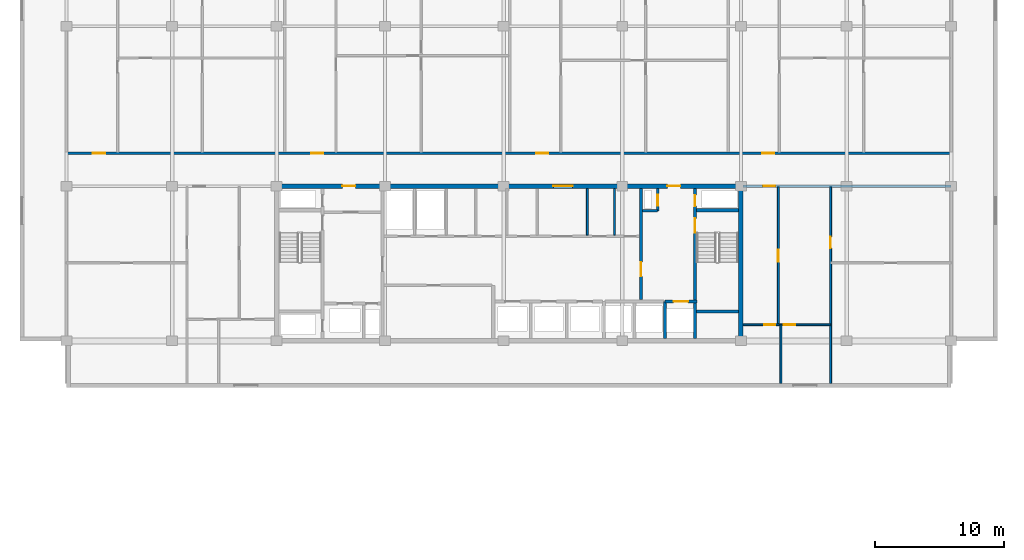
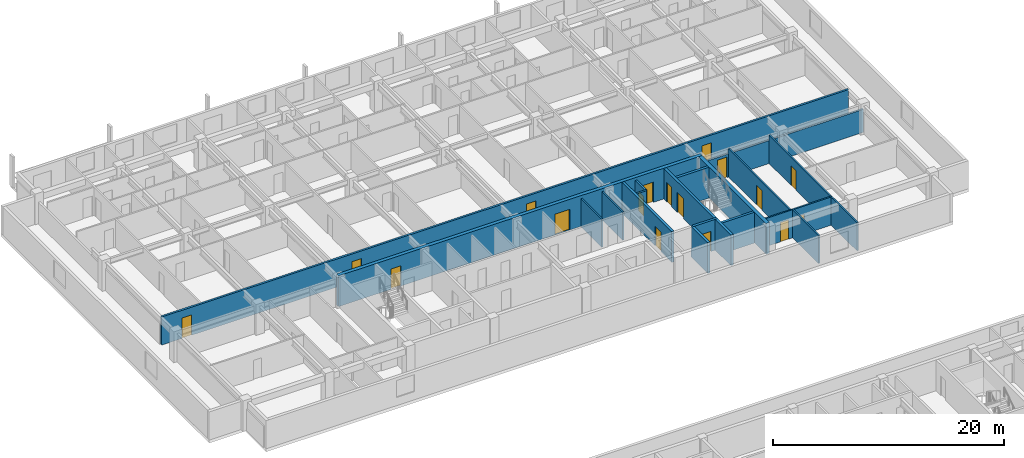
# One storey, part 13 of 23: 18 walls, 17 doors, 17 openings.
"""IFC4 building model written with IfcOpenShell, lengths in metres."""

from ifc_helpers import new_model, si_unit, direction, frame, frame_2d, origin, place, context, subcontext, project, spatial, rectangle, extrude, material, layer, layer_set, type_object, element, fill, save


model = new_model("IFC4")

# Units and contexts
model_context = context("Model", 3, precision=1e-05, world=origin(), true_north=direction((0.0, 1.0)))
body_context = subcontext(model_context, "Body", "Model", "MODEL_VIEW")
ifc_project = project(units=[si_unit("LENGTHUNIT", "METRE"), si_unit("AREAUNIT", "SQUARE_METRE"), si_unit("VOLUMEUNIT", "CUBIC_METRE"), si_unit("PLANEANGLEUNIT", "RADIAN"), si_unit("MASSUNIT", "GRAM", prefix="KILO")], contexts=[model_context])

# Site, building, storey
site_placement = place(None, origin())
site = spatial("IfcSite", under=ifc_project, at=site_placement, CompositionType="ELEMENT")
building_placement = place(site_placement, origin())
building = spatial("IfcBuilding", under=site, at=building_placement, Name="Korimba Cascade Residences", CompositionType="ELEMENT")
storey_placement = place(building_placement, frame((0.0, 0.0, 162.10009765625)))
storey = spatial("IfcBuildingStorey", under=building, at=storey_placement, Name="L46", CompositionType="ELEMENT", Elevation=162.10009765625)

# Wall
ifc_material_1 = material(Name="Concrete C65/80", Category="concrete")
ifc_layer_1 = layer(ifc_material_1, 0.35009765625)
ifc_layer_set_1 = layer_set([ifc_layer_1], Name="Concrete C65/80")
wall_type_1 = type_object("IfcWallType", Name="WAL-CORE-350", PredefinedType="SHEAR", material=ifc_layer_set_1)
wall_1_placement = place(storey_placement, frame((112.074951171875, 55.375, 0.0), z_axis=(0.0, 0.0, 1.0), x_axis=(0.0, 1.0, 0.0)))
element("IfcWall", 1, at=wall_1_placement, inside=storey, type_object=wall_type_1, Name="L46 Core Shear Wall CW-L46-T1-E", PredefinedType="SHEAR", context=body_context, shape_type="SweptSolid", body=[
    extrude(rectangle(XDim=11.64990234375, YDim=0.35009765625, at=frame_2d((5.824951171875, 0.0))), origin(), (0.0, 0.0, 1.0), 3.25),
])

# Wall, openings, doors
wall_2_placement = place(storey_placement, frame((75.949951171875, 67.199951171875, 0.0), z_axis=(0.0, 0.0, 1.0), x_axis=(1.0, 0.0, 0.0)))
wall_2 = element("IfcWall", 2, at=wall_2_placement, inside=storey, type_object=wall_type_1, Name="L46 Core Shear Wall CW-L46-T1-N", PredefinedType="SHEAR", context=body_context, shape_type="SweptSolid", body=[
    extrude(rectangle(XDim=36.300048828125, YDim=0.35009765625, at=frame_2d((18.14990234375, 0.0))), origin(), (0.0, 0.0, 1.0), 3.25),
])
opening_1_placement = place(wall_2_placement, frame((5.25, 0.0, 0.0)))
opening_1 = element("IfcOpeningElement", 3, at=opening_1_placement, cuts=wall_2, Name="Opening D-FD5", PredefinedType="OPENING", context=body_context, shape_type="SweptSolid", body=[
    extrude(rectangle(XDim=1.0, YDim=2.14990234375, at=frame_2d((0.5, 1.074951171875))), frame((0.0, 0.18505859375, 0.0), z_axis=(0.0, -1.0, 0.0), x_axis=(1.0, 0.0, 0.0)), (0.0, 0.0, 1.0), 0.3701171875),
])
opening_2_placement = place(wall_2_placement, frame((21.60009765625, 0.0, 0.0)))
opening_2 = element("IfcOpeningElement", 4, at=opening_2_placement, cuts=wall_2, Name="Opening D-FD8", PredefinedType="OPENING", context=body_context, shape_type="SweptSolid", body=[
    extrude(rectangle(XDim=1.5, YDim=2.199951171875, at=frame_2d((0.75, 1.10009765625))), frame((0.0, 0.18505859375, 0.0), z_axis=(0.0, -1.0, 0.0), x_axis=(1.0, 0.0, 0.0)), (0.0, 0.0, 1.0), 0.3701171875),
])
opening_3_placement = place(wall_2_placement, frame((30.449951171875, 0.0, 0.0)))
opening_3 = element("IfcOpeningElement", 5, at=opening_3_placement, cuts=wall_2, Name="Opening D-FD5", PredefinedType="OPENING", context=body_context, shape_type="SweptSolid", body=[
    extrude(rectangle(XDim=1.0, YDim=2.14990234375, at=frame_2d((0.5, 1.074951171875))), frame((0.0, 0.18505859375, 0.0), z_axis=(0.0, -1.0, 0.0), x_axis=(1.0, 0.0, 0.0)), (0.0, 0.0, 1.0), 0.3701171875),
])
ifc_material_2 = material(Name="Fire-Rated Acoustic Timber Vestibule Door", Category="wood")
door_type_1 = type_object("IfcDoorType", Name="DR-FD90-1000", OperationType="NOTDEFINED", PredefinedType="DOOR", material=ifc_material_2)
door_1_placement = place(opening_1_placement, origin())
door_1 = element("IfcDoor", 6, at=door_1_placement, inside=storey, type_object=door_type_1, Name="L46 T1 West Core Vestibule Fire Door", OperationType="SINGLE_SWING_RIGHT", OverallHeight=2.14990234375, OverallWidth=1.0, PredefinedType="DOOR", context=body_context, shape_type="SweptSolid", body=[
    extrude(rectangle(XDim=1.0, YDim=2.14990234375, at=frame_2d((0.5, 1.074951171875))), frame((0.0, 0.02490234375, 0.0), z_axis=(0.0, -1.0, 0.0), x_axis=(1.0, 0.0, 0.0)), (0.0, 0.0, 1.0), 0.050048828125),
])
fill(opening_1, door_1)
door_2_placement = place(opening_3_placement, origin())
door_2 = element("IfcDoor", 7, at=door_2_placement, inside=storey, type_object=door_type_1, Name="L46 T1 East Firefighting Vestibule Fire Door", OperationType="SINGLE_SWING_LEFT", OverallHeight=2.14990234375, OverallWidth=1.0, PredefinedType="DOOR", context=body_context, shape_type="SweptSolid", body=[
    extrude(rectangle(XDim=1.0, YDim=2.14990234375, at=frame_2d((0.5, 1.074951171875))), frame((0.0, 0.02490234375, 0.0), z_axis=(0.0, -1.0, 0.0), x_axis=(1.0, 0.0, 0.0)), (0.0, 0.0, 1.0), 0.050048828125),
])
fill(opening_3, door_2)
ifc_material_3 = material(Name="Fire-Rated Glazed Lift Lobby Double Door", Category="glass")
door_type_2 = type_object("IfcDoorType", Name="DR-FD90-1500", OperationType="NOTDEFINED", PredefinedType="DOOR", material=ifc_material_3)
door_3_placement = place(opening_2_placement, origin())
door_3 = element("IfcDoor", 8, at=door_3_placement, inside=storey, type_object=door_type_2, Name="L46 T1 Lift Lobby Fire Door", OperationType="DOUBLE_DOOR_SINGLE_SWING", OverallHeight=2.199951171875, OverallWidth=1.5, PredefinedType="DOOR", context=body_context, shape_type="SweptSolid", body=[
    extrude(rectangle(XDim=1.5, YDim=2.199951171875, at=frame_2d((0.75, 1.10009765625))), frame((0.0, 0.02490234375, 0.0), z_axis=(0.0, -1.0, 0.0), x_axis=(1.0, 0.0, 0.0)), (0.0, 0.0, 1.0), 0.050048828125),
])
fill(opening_2, door_3)

# Wall, opening, door
ifc_material_4 = material(Name="Precast concrete C40/50", Category="concrete")
ifc_layer_2 = layer(ifc_material_4, 0.199951171875)
ifc_layer_set_2 = layer_set([ifc_layer_2], Name="Precast concrete C40/50")
wall_type_2 = type_object("IfcWallType", Name="WAL-IT-200", PredefinedType="PARTITIONING", material=ifc_layer_set_2)
wall_3_placement = place(storey_placement, frame((112.25, 67.199951171875, 0.0), z_axis=(0.0, 0.0, 1.0), x_axis=(1.0, 0.0, 0.0)))
wall_3 = element("IfcWall", 9, at=wall_3_placement, inside=storey, type_object=wall_type_2, Name="L46 Partition Wall WAL-L46-T1-FE-N", PredefinedType="PARTITIONING", context=body_context, shape_type="SweptSolid", body=[
    extrude(rectangle(XDim=16.14990234375, YDim=0.199951171875, at=frame_2d((8.074951171875, 0.0))), origin(), (0.0, 0.0, 1.0), 2.43310546875),
])
opening_4_placement = place(wall_3_placement, frame((1.580078125, 0.0, 0.0)))
opening_4 = element("IfcOpeningElement", 10, at=opening_4_placement, cuts=wall_3, Name="Opening D-UN1", PredefinedType="OPENING", context=body_context, shape_type="SweptSolid", body=[
    extrude(rectangle(XDim=0.949951171875, YDim=2.14990234375, at=frame_2d((0.47509765625, 1.074951171875))), frame((0.0, 0.10986328125, 0.0), z_axis=(0.0, -1.0, 0.0), x_axis=(1.0, 0.0, 0.0)), (0.0, 0.0, 1.0), 0.219970703125),
])
ifc_material_5 = material(Name="Fire-Rated Hardwood Apartment Entrance Door", Category="wood")
door_type_3 = type_object("IfcDoorType", Name="DR-FD60-950", OperationType="NOTDEFINED", PredefinedType="DOOR", material=ifc_material_5)
door_4_placement = place(opening_4_placement, origin())
door_4 = element("IfcDoor", 11, at=door_4_placement, inside=storey, type_object=door_type_3, Name="L46-T1-FE Entrance Door", OperationType="SINGLE_SWING_LEFT", OverallHeight=2.14990234375, OverallWidth=0.949951171875, PredefinedType="DOOR", context=body_context, shape_type="SweptSolid", body=[
    extrude(rectangle(XDim=0.949951171875, YDim=2.14990234375, at=frame_2d((0.47509765625, 1.074951171875))), frame((0.0, 0.02490234375, 0.0), z_axis=(0.0, -1.0, 0.0), x_axis=(1.0, 0.0, 0.0)), (0.0, 0.0, 1.0), 0.050048828125),
])
fill(opening_4, door_4)

# Wall, openings, doors
wall_4_placement = place(storey_placement, frame((59.800048828125, 69.75, 0.0), z_axis=(0.0, 0.0, 1.0), x_axis=(1.0, 0.0, 0.0)))
wall_4 = element("IfcWall", 12, at=wall_4_placement, inside=storey, type_object=wall_type_2, Name="L46 Partition Wall WAL-L46-T1-CORN", PredefinedType="PARTITIONING", context=body_context, shape_type="SweptSolid", body=[
    extrude(rectangle(XDim=68.599853515625, YDim=0.199951171875, at=frame_2d((34.2998046875, 0.0))), origin(), (0.0, 0.0, 1.0), 2.969970703125),
])
opening_5_placement = place(wall_4_placement, frame((2.044921875, 0.0, 0.0)))
opening_5 = element("IfcOpeningElement", 13, at=opening_5_placement, cuts=wall_4, Name="Opening D-UN1", PredefinedType="OPENING", context=body_context, shape_type="SweptSolid", body=[
    extrude(rectangle(XDim=0.949951171875, YDim=2.14990234375, at=frame_2d((0.47509765625, 1.074951171875))), frame((0.0, 0.10986328125, 0.0), z_axis=(0.0, -1.0, 0.0), x_axis=(1.0, 0.0, 0.0)), (0.0, 0.0, 1.0), 0.219970703125),
])
opening_6_placement = place(wall_4_placement, frame((18.97998046875, 0.0, 0.0)))
opening_6 = element("IfcOpeningElement", 14, at=opening_6_placement, cuts=wall_4, Name="Opening D-UN1", PredefinedType="OPENING", context=body_context, shape_type="SweptSolid", body=[
    extrude(rectangle(XDim=0.949951171875, YDim=2.14990234375, at=frame_2d((0.47509765625, 1.074951171875))), frame((0.0, 0.10986328125, 0.0), z_axis=(0.0, -1.0, 0.0), x_axis=(1.0, 0.0, 0.0)), (0.0, 0.0, 1.0), 0.219970703125),
])
opening_7_placement = place(wall_4_placement, frame((36.419921875, 0.0, 0.0)))
opening_7 = element("IfcOpeningElement", 15, at=opening_7_placement, cuts=wall_4, Name="Opening D-UN1", PredefinedType="OPENING", context=body_context, shape_type="SweptSolid", body=[
    extrude(rectangle(XDim=0.949951171875, YDim=2.14990234375, at=frame_2d((0.47509765625, 1.074951171875))), frame((0.0, 0.10986328125, 0.0), z_axis=(0.0, -1.0, 0.0), x_axis=(1.0, 0.0, 0.0)), (0.0, 0.0, 1.0), 0.219970703125),
])
opening_8_placement = place(wall_4_placement, frame((53.93603515625, 0.0, 0.0)))
opening_8 = element("IfcOpeningElement", 16, at=opening_8_placement, cuts=wall_4, Name="Opening D-UN1", PredefinedType="OPENING", context=body_context, shape_type="SweptSolid", body=[
    extrude(rectangle(XDim=0.949951171875, YDim=2.14990234375, at=frame_2d((0.47509765625, 1.074951171875))), frame((0.0, 0.10986328125, 0.0), z_axis=(0.0, -1.0, 0.0), x_axis=(1.0, 0.0, 0.0)), (0.0, 0.0, 1.0), 0.219970703125),
])
door_5_placement = place(opening_5_placement, origin())
door_5 = element("IfcDoor", 17, at=door_5_placement, inside=storey, type_object=door_type_3, Name="Unit L46-T1-U01 Entrance Door", OperationType="SINGLE_SWING_LEFT", OverallHeight=2.14990234375, OverallWidth=0.949951171875, PredefinedType="DOOR", context=body_context, shape_type="SweptSolid", body=[
    extrude(rectangle(XDim=0.949951171875, YDim=2.14990234375, at=frame_2d((0.47509765625, 1.074951171875))), frame((0.0, 0.02490234375, 0.0), z_axis=(0.0, -1.0, 0.0), x_axis=(1.0, 0.0, 0.0)), (0.0, 0.0, 1.0), 0.050048828125),
])
fill(opening_5, door_5)
door_6_placement = place(opening_6_placement, origin())
door_6 = element("IfcDoor", 18, at=door_6_placement, inside=storey, type_object=door_type_3, Name="Unit L46-T1-U02 Entrance Door", OperationType="SINGLE_SWING_RIGHT", OverallHeight=2.14990234375, OverallWidth=0.949951171875, PredefinedType="DOOR", context=body_context, shape_type="SweptSolid", body=[
    extrude(rectangle(XDim=0.949951171875, YDim=2.14990234375, at=frame_2d((0.47509765625, 1.074951171875))), frame((0.0, 0.02490234375, 0.0), z_axis=(0.0, -1.0, 0.0), x_axis=(1.0, 0.0, 0.0)), (0.0, 0.0, 1.0), 0.050048828125),
])
fill(opening_6, door_6)
door_7_placement = place(opening_7_placement, origin())
door_7 = element("IfcDoor", 19, at=door_7_placement, inside=storey, type_object=door_type_3, Name="Unit L46-T1-U03 Entrance Door", OperationType="SINGLE_SWING_LEFT", OverallHeight=2.14990234375, OverallWidth=0.949951171875, PredefinedType="DOOR", context=body_context, shape_type="SweptSolid", body=[
    extrude(rectangle(XDim=0.949951171875, YDim=2.14990234375, at=frame_2d((0.47509765625, 1.074951171875))), frame((0.0, 0.02490234375, 0.0), z_axis=(0.0, -1.0, 0.0), x_axis=(1.0, 0.0, 0.0)), (0.0, 0.0, 1.0), 0.050048828125),
])
fill(opening_7, door_7)
door_8_placement = place(opening_8_placement, origin())
door_8 = element("IfcDoor", 20, at=door_8_placement, inside=storey, type_object=door_type_3, Name="Unit L46-T1-U04 Entrance Door", OperationType="SINGLE_SWING_RIGHT", OverallHeight=2.14990234375, OverallWidth=0.949951171875, PredefinedType="DOOR", context=body_context, shape_type="SweptSolid", body=[
    extrude(rectangle(XDim=0.949951171875, YDim=2.14990234375, at=frame_2d((0.47509765625, 1.074951171875))), frame((0.0, 0.02490234375, 0.0), z_axis=(0.0, -1.0, 0.0), x_axis=(1.0, 0.0, 0.0)), (0.0, 0.0, 1.0), 0.050048828125),
])
fill(opening_8, door_8)

# Walls
ifc_material_6 = material(Name="Insulated Acoustic Stud Partition", Category="gypsum")
ifc_layer_3 = layer(ifc_material_6, 0.14990234375)
ifc_layer_set_3 = layer_set([ifc_layer_3], Name="Insulated Acoustic Stud Partition")
wall_type_3 = type_object("IfcWallType", Name="WAL-PART-150", PredefinedType="PARTITIONING", material=ifc_layer_set_3)
for number, where, z_axis, x_axis, name in (
    (21, (102.300048828125, 63.39990234375, 0.0), (0.0, 0.0, 1.0), (0.0, 1.0, 0.0), "L46 Partition Wall CW-L46-T1-CA1E1"),
    (22, (100.199951171875, 63.39990234375, 0.0), (0.0, 0.0, 1.0), (0.0, 1.0, 0.0), "L46 Partition Wall CW-L46-T1-THE"),
):
    element("IfcWall", number, at=place(storey_placement, frame(where, z_axis=z_axis, x_axis=x_axis)), inside=storey, type_object=wall_type_3, Name=name, PredefinedType="PARTITIONING", context=body_context, shape_type="SweptSolid", body=[
        extrude(rectangle(XDim=3.60009765625, YDim=0.14990234375, at=frame_2d((1.800048828125, 0.0))), origin(), (0.0, 0.0, 1.0), 2.969970703125),
    ])

# Wall, opening, door
wall_5_placement = place(storey_placement, frame((119.050048828125, 51.89990234375, 0.0), z_axis=(0.0, 0.0, 1.0), x_axis=(0.0, 1.0, 0.0)))
wall_5 = element("IfcWall", 23, at=wall_5_placement, inside=storey, type_object=wall_type_3, Name="L46 Partition Wall WAL-L46-T1-FE-STV", PredefinedType="PARTITIONING", context=body_context, shape_type="SweptSolid", body=[
    extrude(rectangle(XDim=15.25, YDim=0.14990234375, at=frame_2d((7.625, 0.0))), origin(), (0.0, 0.0, 1.0), 2.969970703125),
])
opening_9_placement = place(wall_5_placement, frame((10.5, 0.0, 0.0)))
opening_9 = element("IfcOpeningElement", 24, at=opening_9_placement, cuts=wall_5, Name="Opening D-IN2", PredefinedType="OPENING", context=body_context, shape_type="SweptSolid", body=[
    extrude(rectangle(XDim=0.8798828125, YDim=2.06005859375, at=frame_2d((0.43994140625, 1.030029296875))), frame((0.0, 0.0849609375, 0.0), z_axis=(0.0, -1.0, 0.0), x_axis=(1.0, 0.0, 0.0)), (0.0, 0.0, 1.0), 0.169921875),
])
ifc_material_7 = material(Name="Acoustic Timber Bedroom Door", Category="wood")
door_type_4 = type_object("IfcDoorType", Name="DR-INT-880", OperationType="NOTDEFINED", PredefinedType="DOOR", material=ifc_material_7)
door_9_placement = place(opening_9_placement, origin())
door_9 = element("IfcDoor", 25, at=door_9_placement, inside=storey, type_object=door_type_4, Name="L46-T1-FE Study Door", OperationType="SINGLE_SWING_LEFT", OverallHeight=2.06005859375, OverallWidth=0.8798828125, PredefinedType="DOOR", context=body_context, shape_type="SweptSolid", body=[
    extrude(rectangle(XDim=0.8798828125, YDim=2.06005859375, at=frame_2d((0.43994140625, 1.030029296875))), frame((0.0, 0.02490234375, 0.0), z_axis=(0.0, -1.0, 0.0), x_axis=(1.0, 0.0, 0.0)), (0.0, 0.0, 1.0), 0.050048828125),
])
fill(opening_9, door_9)

wall_6_placement = place(storey_placement, frame((115.0, 56.449951171875, 0.0), z_axis=(0.0, 0.0, 1.0), x_axis=(0.0, 1.0, 0.0)))
wall_6 = element("IfcWall", 26, at=wall_6_placement, inside=storey, type_object=wall_type_3, Name="L46 Partition Wall WAL-L46-T1-FE-VN", PredefinedType="PARTITIONING", context=body_context, shape_type="SweptSolid", body=[
    extrude(rectangle(XDim=10.699951171875, YDim=0.14990234375, at=frame_2d((5.35009765625, 0.0))), origin(), (0.0, 0.0, 1.0), 2.969970703125),
])
opening_10_placement = place(wall_6_placement, frame((4.889892578125, 0.0, 0.0)))
opening_10 = element("IfcOpeningElement", 27, at=opening_10_placement, cuts=wall_6, Name="Opening D-IN1", PredefinedType="OPENING", context=body_context, shape_type="SweptSolid", body=[
    extrude(rectangle(XDim=0.919921875, YDim=2.080078125, at=frame_2d((0.4599609375, 1.0400390625))), frame((0.0, 0.0849609375, 0.0), z_axis=(0.0, -1.0, 0.0), x_axis=(1.0, 0.0, 0.0)), (0.0, 0.0, 1.0), 0.169921875),
])
ifc_material_8 = material(Name="Acoustic Timber Living Door", Category="wood")
door_type_5 = type_object("IfcDoorType", Name="DR-INT-920", OperationType="NOTDEFINED", PredefinedType="DOOR", material=ifc_material_8)
door_10_placement = place(opening_10_placement, origin())
door_10 = element("IfcDoor", 28, at=door_10_placement, inside=storey, type_object=door_type_5, Name="L46-T1-FE Living Door", OperationType="SINGLE_SWING_RIGHT", OverallHeight=2.080078125, OverallWidth=0.919921875, PredefinedType="DOOR", context=body_context, shape_type="SweptSolid", body=[
    extrude(rectangle(XDim=0.919921875, YDim=2.080078125, at=frame_2d((0.4599609375, 1.0400390625))), frame((0.0, 0.02490234375, 0.0), z_axis=(0.0, -1.0, 0.0), x_axis=(1.0, 0.0, 0.0)), (0.0, 0.0, 1.0), 0.050048828125),
])
fill(opening_10, door_10)

# Wall
wall_7_placement = place(storey_placement, frame((115.199951171875, 51.89990234375, 0.0), z_axis=(0.0, 0.0, 1.0), x_axis=(0.0, 1.0, 0.0)))
element("IfcWall", 29, at=wall_7_placement, inside=storey, type_object=wall_type_3, Name="L46 Partition Wall WAL-L46-T1-FE-VS", PredefinedType="PARTITIONING", context=body_context, shape_type="SweptSolid", body=[
    extrude(rectangle(XDim=4.550048828125, YDim=0.14990234375, at=frame_2d((2.27490234375, 0.0))), origin(), (0.0, 0.0, 1.0), 2.969970703125),
])

# Wall, openings, doors
wall_8_placement = place(storey_placement, frame((112.27001953125, 56.449951171875, 0.0), z_axis=(0.0, 0.0, 1.0), x_axis=(1.0, 0.0, 0.0)))
wall_8 = element("IfcWall", 30, at=wall_8_placement, inside=storey, type_object=wall_type_3, Name="L46 Partition Wall WAL-L46-T1-FE-H", PredefinedType="PARTITIONING", context=body_context, shape_type="SweptSolid", body=[
    extrude(rectangle(XDim=6.760009765625, YDim=0.14990234375, at=frame_2d((3.3798828125, 0.0))), origin(), (0.0, 0.0, 1.0), 2.969970703125),
])
opening_11_placement = place(wall_8_placement, frame((1.6396484375, 0.0, 0.0)))
opening_11 = element("IfcOpeningElement", 31, at=opening_11_placement, cuts=wall_8, Name="Opening D-BT1", PredefinedType="OPENING", context=body_context, shape_type="SweptSolid", body=[
    extrude(rectangle(XDim=0.840087890625, YDim=2.0400390625, at=frame_2d((0.419921875, 1.02001953125))), frame((0.0, 0.0849609375, 0.0), z_axis=(0.0, -1.0, 0.0), x_axis=(1.0, 0.0, 0.0)), (0.0, 0.0, 1.0), 0.169921875),
])
opening_12_placement = place(wall_8_placement, frame((3.160400390625, 0.0, 0.0)))
opening_12 = element("IfcOpeningElement", 32, at=opening_12_placement, cuts=wall_8, Name="Opening D-IN2", PredefinedType="OPENING", context=body_context, shape_type="SweptSolid", body=[
    extrude(rectangle(XDim=0.8798828125, YDim=2.06005859375, at=frame_2d((0.43994140625, 1.030029296875))), frame((0.0, 0.0849609375, 0.0), z_axis=(0.0, -1.0, 0.0), x_axis=(1.0, 0.0, 0.0)), (0.0, 0.0, 1.0), 0.169921875),
])
ifc_material_9 = material(Name="Moisture-Resistant Bathroom Timber Door", Category="wood")
door_type_6 = type_object("IfcDoorType", Name="DR-INT-850", OperationType="NOTDEFINED", PredefinedType="DOOR", material=ifc_material_9)
door_11_placement = place(opening_11_placement, origin())
door_11 = element("IfcDoor", 33, at=door_11_placement, inside=storey, type_object=door_type_6, Name="L46-T1-FE Bathroom Door", OperationType="SINGLE_SWING_LEFT", OverallHeight=2.0400390625, OverallWidth=0.840087890625, PredefinedType="DOOR", context=body_context, shape_type="SweptSolid", body=[
    extrude(rectangle(XDim=0.840087890625, YDim=2.0400390625, at=frame_2d((0.419921875, 1.02001953125))), frame((0.0, 0.02490234375, 0.0), z_axis=(0.0, -1.0, 0.0), x_axis=(1.0, 0.0, 0.0)), (0.0, 0.0, 1.0), 0.050048828125),
])
fill(opening_11, door_11)
door_12_placement = place(opening_12_placement, origin())
door_12 = element("IfcDoor", 34, at=door_12_placement, inside=storey, type_object=door_type_4, Name="L46-T1-FE Bedroom Door", OperationType="SINGLE_SWING_RIGHT", OverallHeight=2.06005859375, OverallWidth=0.8798828125, PredefinedType="DOOR", context=body_context, shape_type="SweptSolid", body=[
    extrude(rectangle(XDim=0.8798828125, YDim=2.06005859375, at=frame_2d((0.43994140625, 1.030029296875))), frame((0.0, 0.02490234375, 0.0), z_axis=(0.0, -1.0, 0.0), x_axis=(1.0, 0.0, 0.0)), (0.0, 0.0, 1.0), 0.050048828125),
])
fill(opening_12, door_12)

# Wall
ifc_material_10 = material(Name="Concrete C40/50", Category="concrete")
ifc_layer_4 = layer(ifc_material_10, 0.199951171875)
ifc_layer_set_4 = layer_set([ifc_layer_4], Name="Concrete C40/50")
wall_type_4 = type_object("IfcWallType", Name="WAL-PART-200", PredefinedType="PARTITIONING", material=ifc_layer_set_4)
wall_9_placement = place(storey_placement, frame((104.449951171875, 65.280029296875, 0.0), z_axis=(0.0, 0.0, 1.0), x_axis=(1.0, 0.0, 0.0)))
element("IfcWall", 35, at=wall_9_placement, inside=storey, type_object=wall_type_4, Name="L46 Partition Wall CW-L46-T1-HYDW2S", PredefinedType="PARTITIONING", context=body_context, shape_type="SweptSolid", body=[
    extrude(rectangle(XDim=1.199951171875, YDim=0.199951171875, at=frame_2d((0.60009765625, 0.0))), origin(), (0.0, 0.0, 1.0), 2.969970703125),
])

# Wall, opening, door
wall_10_placement = place(storey_placement, frame((105.64990234375, 65.280029296875, 0.0), z_axis=(0.0, 0.0, 1.0), x_axis=(0.0, 1.0, 0.0)))
wall_10 = element("IfcWall", 36, at=wall_10_placement, inside=storey, type_object=wall_type_4, Name="L46 Partition Wall CW-L46-T1-HYDW2E", PredefinedType="PARTITIONING", context=body_context, shape_type="SweptSolid", body=[
    extrude(rectangle(XDim=1.719970703125, YDim=0.199951171875, at=frame_2d((0.85986328125, 0.0))), origin(), (0.0, 0.0, 1.0), 2.969970703125),
])
opening_13_placement = place(wall_10_placement, frame((0.39990234375, 0.0, 0.0)))
opening_13 = element("IfcOpeningElement", 37, at=opening_13_placement, cuts=wall_10, Name="Opening D-RS1", PredefinedType="OPENING", context=body_context, shape_type="SweptSolid", body=[
    extrude(rectangle(XDim=0.85009765625, YDim=2.050048828125, at=frame_2d((0.425048828125, 1.02490234375))), frame((0.0, 0.10986328125, 0.0), z_axis=(0.0, -1.0, 0.0), x_axis=(1.0, 0.0, 0.0)), (0.0, 0.0, 1.0), 0.219970703125),
])
ifc_material_11 = material(Name="Fire-Rated Steel Riser Access Door", Category="steel")
door_type_7 = type_object("IfcDoorType", Name="DR-FD60-850", OperationType="NOTDEFINED", PredefinedType="DOOR", material=ifc_material_11)
door_13_placement = place(opening_13_placement, origin())
door_13 = element("IfcDoor", 38, at=door_13_placement, inside=storey, type_object=door_type_7, Name="L46 East Hydrant Door", OperationType="SINGLE_SWING_RIGHT", OverallHeight=2.050048828125, OverallWidth=0.85009765625, PredefinedType="DOOR", context=body_context, shape_type="SweptSolid", body=[
    extrude(rectangle(XDim=0.85009765625, YDim=2.050048828125, at=frame_2d((0.425048828125, 1.02490234375))), frame((0.0, 0.02490234375, 0.0), z_axis=(0.0, -1.0, 0.0), x_axis=(1.0, 0.0, 0.0)), (0.0, 0.0, 1.0), 0.050048828125),
])
fill(opening_13, door_13)

# Wall
ifc_material_12 = material(Name="Concrete C50/60", Category="concrete")
ifc_layer_5 = layer(ifc_material_12, 0.25)
ifc_layer_set_5 = layer_set([ifc_layer_5], Name="Concrete C50/60")
wall_type_5 = type_object("IfcWallType", Name="WAL-SHAFT-250", PredefinedType="SHEAR", material=ifc_layer_set_5)
wall_11_placement = place(storey_placement, frame((106.219970703125, 55.39990234375, 0.0), z_axis=(0.0, 0.0, 1.0), x_axis=(0.0, 1.0, 0.0)))
element("IfcWall", 39, at=wall_11_placement, inside=storey, type_object=wall_type_5, Name="L46 Core Shear Wall CW-L46-T1-FF2W", PredefinedType="SHEAR", context=body_context, shape_type="SweptSolid", body=[
    extrude(rectangle(XDim=2.85009765625, YDim=0.25, at=frame_2d((1.425048828125, 0.0))), origin(), (0.0, 0.0, 1.0), 3.25),
])

# Wall, opening, door
wall_12_placement = place(storey_placement, frame((106.219970703125, 58.25, 0.0), z_axis=(0.0, 0.0, 1.0), x_axis=(1.0, 0.0, 0.0)))
wall_12 = element("IfcWall", 40, at=wall_12_placement, inside=storey, type_object=wall_type_5, Name="L46 Core Shear Wall CW-L46-T1-FF2N", PredefinedType="SHEAR", context=body_context, shape_type="SweptSolid", body=[
    extrude(rectangle(XDim=2.4599609375, YDim=0.25, at=frame_2d((1.22998046875, 0.0))), origin(), (0.0, 0.0, 1.0), 3.25),
])
opening_14_placement = place(wall_12_placement, frame((0.669921875, 0.0, 0.0)))
opening_14 = element("IfcOpeningElement", 41, at=opening_14_placement, cuts=wall_12, Name="Opening LD-01", PredefinedType="OPENING", context=body_context, shape_type="SweptSolid", body=[
    extrude(rectangle(XDim=1.1201171875, YDim=2.1201171875, at=frame_2d((0.56005859375, 1.06005859375))), frame((0.0, 0.135009765625, 0.0), z_axis=(0.0, -1.0, 0.0), x_axis=(1.0, 0.0, 0.0)), (0.0, 0.0, 1.0), 0.27001953125),
])
ifc_material_13 = material(Name="Stainless Steel Lift Landing Sliding Door", Category="steel")
door_type_8 = type_object("IfcDoorType", Name="DR-LIFT-1100", OperationType="NOTDEFINED", PredefinedType="DOOR", material=ifc_material_13)
door_14_placement = place(opening_14_placement, origin())
door_14 = element("IfcDoor", 42, at=door_14_placement, inside=storey, type_object=door_type_8, Name="L46 Firefighting Lift Landing Door FFL-W2", OperationType="SLIDING_TO_RIGHT", OverallHeight=2.1201171875, OverallWidth=1.1201171875, PredefinedType="DOOR", context=body_context, shape_type="SweptSolid", body=[
    extrude(rectangle(XDim=1.1201171875, YDim=2.1201171875, at=frame_2d((0.56005859375, 1.06005859375))), frame((0.0, 0.02490234375, 0.0), z_axis=(0.0, -1.0, 0.0), x_axis=(1.0, 0.0, 0.0)), (0.0, 0.0, 1.0), 0.050048828125),
])
fill(opening_14, door_14)

wall_13_placement = place(storey_placement, frame((104.35009765625, 58.39990234375, 0.0), z_axis=(0.0, 0.0, 1.0), x_axis=(0.0, 1.0, 0.0)))
wall_13 = element("IfcWall", 43, at=wall_13_placement, inside=storey, type_object=wall_type_5, Name="L46 Core Shear Wall CW-L46-T1-LLEV", PredefinedType="SHEAR", context=body_context, shape_type="SweptSolid", body=[
    extrude(rectangle(XDim=8.60009765625, YDim=0.25, at=frame_2d((4.300048828125, 0.0))), origin(), (0.0, 0.0, 1.0), 3.25),
])
opening_15_placement = place(wall_13_placement, frame((1.800048828125, 0.0, 0.0)))
opening_15 = element("IfcOpeningElement", 44, at=opening_15_placement, cuts=wall_13, Name="Opening D-FD1", PredefinedType="OPENING", context=body_context, shape_type="SweptSolid", body=[
    extrude(rectangle(XDim=1.10009765625, YDim=2.10009765625, at=frame_2d((0.550048828125, 1.050048828125))), frame((0.0, 0.135009765625, 0.0), z_axis=(0.0, -1.0, 0.0), x_axis=(1.0, 0.0, 0.0)), (0.0, 0.0, 1.0), 0.27001953125),
])
ifc_material_14 = material(Name="Fire-Rated Steel Core Door", Category="steel")
door_type_9 = type_object("IfcDoorType", Name="DR-FD120-1100", OperationType="NOTDEFINED", PredefinedType="DOOR", material=ifc_material_14)
door_15_placement = place(opening_15_placement, origin())
door_15 = element("IfcDoor", 45, at=door_15_placement, inside=storey, type_object=door_type_9, Name="L46 Lift Lobby to East Firefighting Lobby Door", OperationType="SINGLE_SWING_LEFT", OverallHeight=2.10009765625, OverallWidth=1.10009765625, PredefinedType="DOOR", context=body_context, shape_type="SweptSolid", body=[
    extrude(rectangle(XDim=1.10009765625, YDim=2.10009765625, at=frame_2d((0.550048828125, 1.050048828125))), frame((0.0, 0.02490234375, 0.0), z_axis=(0.0, -1.0, 0.0), x_axis=(1.0, 0.0, 0.0)), (0.0, 0.0, 1.0), 0.050048828125),
])
fill(opening_15, door_15)

# Wall, openings, doors
wall_14_placement = place(storey_placement, frame((108.534912109375, 55.39990234375, 0.0), z_axis=(0.0, 0.0, 1.0), x_axis=(0.0, 1.0, 0.0)))
wall_14 = element("IfcWall", 46, at=wall_14_placement, inside=storey, type_object=wall_type_5, Name="L46 Core Shear Wall CW-L46-T1-STW2W", PredefinedType="SHEAR", context=body_context, shape_type="SweptSolid", body=[
    extrude(rectangle(XDim=11.60009765625, YDim=0.25, at=frame_2d((5.800048828125, 0.0))), origin(), (0.0, 0.0, 1.0), 3.25),
])
opening_16_placement = place(wall_14_placement, frame((8.199951171875, 0.0, 0.0)))
opening_16 = element("IfcOpeningElement", 47, at=opening_16_placement, cuts=wall_14, Name="Opening D-FD1", PredefinedType="OPENING", context=body_context, shape_type="SweptSolid", body=[
    extrude(rectangle(XDim=1.10009765625, YDim=2.10009765625, at=frame_2d((0.550048828125, 1.050048828125))), frame((0.0, 0.135009765625, 0.0), z_axis=(0.0, -1.0, 0.0), x_axis=(1.0, 0.0, 0.0)), (0.0, 0.0, 1.0), 0.27001953125),
])
opening_17_placement = place(wall_14_placement, frame((10.25, 0.0, 0.0)))
opening_17 = element("IfcOpeningElement", 48, at=opening_17_placement, cuts=wall_14, Name="Opening D-RS1", PredefinedType="OPENING", context=body_context, shape_type="SweptSolid", body=[
    extrude(rectangle(XDim=0.85009765625, YDim=2.050048828125, at=frame_2d((0.425048828125, 1.02490234375))), frame((0.0, 0.135009765625, 0.0), z_axis=(0.0, -1.0, 0.0), x_axis=(1.0, 0.0, 0.0)), (0.0, 0.0, 1.0), 0.27001953125),
])
door_16_placement = place(opening_16_placement, origin())
door_16 = element("IfcDoor", 49, at=door_16_placement, inside=storey, type_object=door_type_9, Name="L46 Fire Stair ST-W2 Door", OperationType="SINGLE_SWING_RIGHT", OverallHeight=2.10009765625, OverallWidth=1.10009765625, PredefinedType="DOOR", context=body_context, shape_type="SweptSolid", body=[
    extrude(rectangle(XDim=1.10009765625, YDim=2.10009765625, at=frame_2d((0.550048828125, 1.050048828125))), frame((0.0, 0.02490234375, 0.0), z_axis=(0.0, -1.0, 0.0), x_axis=(1.0, 0.0, 0.0)), (0.0, 0.0, 1.0), 0.050048828125),
])
fill(opening_16, door_16)
door_17_placement = place(opening_17_placement, origin())
door_17 = element("IfcDoor", 50, at=door_17_placement, inside=storey, type_object=door_type_7, Name="L46 East Riser Door", OperationType="SINGLE_SWING_LEFT", OverallHeight=2.050048828125, OverallWidth=0.85009765625, PredefinedType="DOOR", context=body_context, shape_type="SweptSolid", body=[
    extrude(rectangle(XDim=0.85009765625, YDim=2.050048828125, at=frame_2d((0.425048828125, 1.02490234375))), frame((0.0, 0.02490234375, 0.0), z_axis=(0.0, -1.0, 0.0), x_axis=(1.0, 0.0, 0.0)), (0.0, 0.0, 1.0), 0.050048828125),
])
fill(opening_17, door_17)

# Walls
for number, where, z_axis, x_axis, name in (
    (51, (108.659912109375, 57.47509765625, 0.0), (0.0, 0.0, 1.0), (1.0, 0.0, 0.0), "L46 Core Shear Wall CW-L46-T1-STW2S"),
    (52, (108.659912109375, 65.324951171875, 0.0), (0.0, 0.0, 1.0), (1.0, 0.0, 0.0), "L46 Core Shear Wall CW-L46-T1-STW2N"),
):
    element("IfcWall", number, at=place(storey_placement, frame(where, z_axis=z_axis, x_axis=x_axis)), inside=storey, type_object=wall_type_5, Name=name, PredefinedType="SHEAR", context=body_context, shape_type="SweptSolid", body=[
        extrude(rectangle(XDim=3.239990234375, YDim=0.25, at=frame_2d((1.6201171875, 0.0))), origin(), (0.0, 0.0, 1.0), 3.25),
    ])

save(model, "model.ifc")
